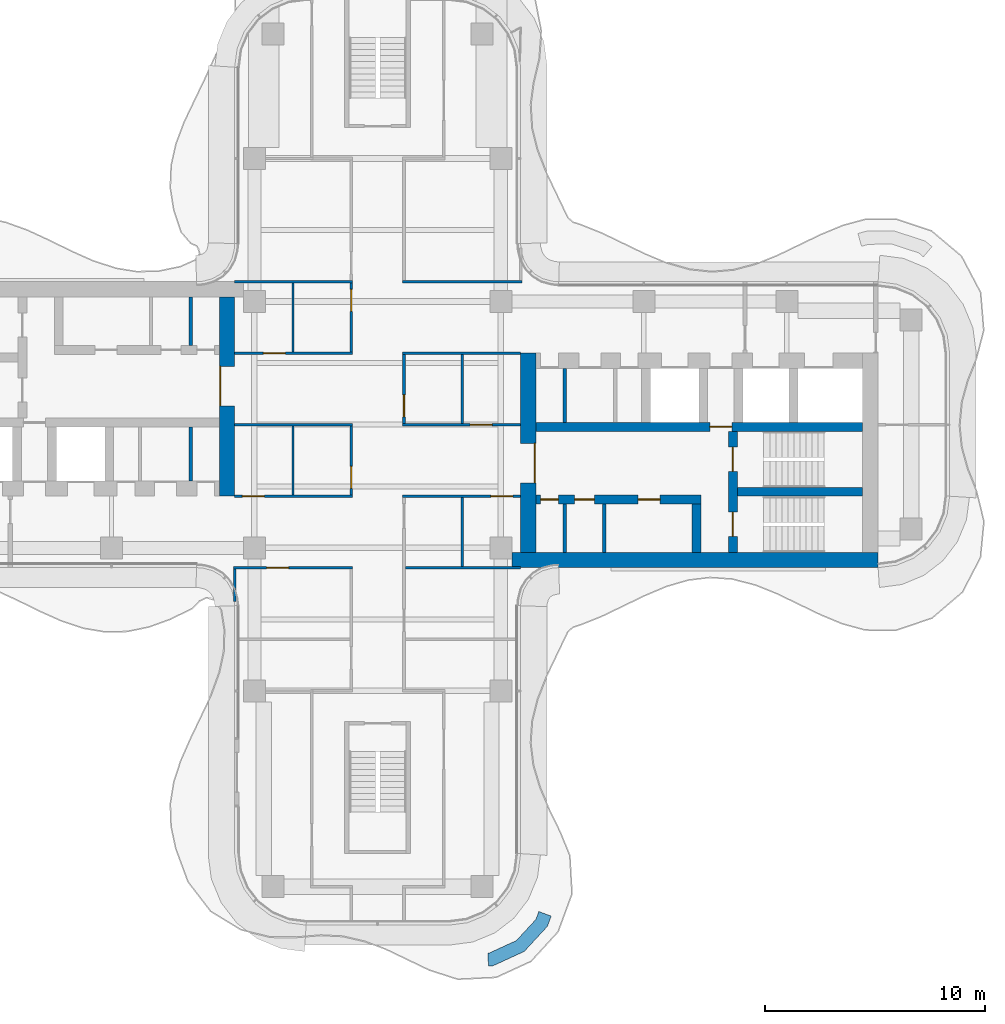
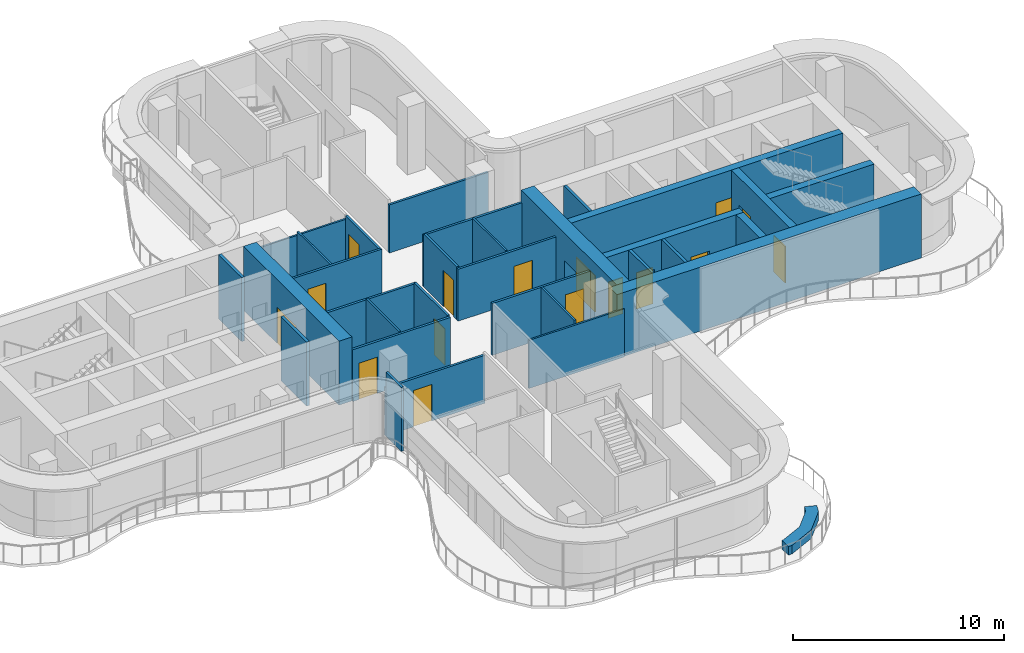
# One storey, part 12 of 16: 32 walls, 16 doors, 16 openings.
"""IFC4 building model written with IfcOpenShell, lengths in metres."""

from ifc_helpers import new_model, si_unit, direction, frame, frame_2d, origin, place, context, subcontext, project, spatial, polyline, rectangle, outline, extrude, source, transform, mapped, material, layer, layer_set, type_object, element, fill, save


model = new_model("IFC4")

# Units and contexts
model_context = context("Model", 3, precision=1e-05, world=origin(), true_north=direction((0.0, 1.0)))
body_context = subcontext(model_context, "Body", "Model", "MODEL_VIEW")
ifc_project = project(units=[si_unit("LENGTHUNIT", "METRE"), si_unit("AREAUNIT", "SQUARE_METRE"), si_unit("VOLUMEUNIT", "CUBIC_METRE"), si_unit("PLANEANGLEUNIT", "RADIAN"), si_unit("MASSUNIT", "GRAM", prefix="KILO")], contexts=[model_context])

# Site, building, storey
site_placement = place(None, origin())
site = spatial("IfcSite", under=ifc_project, at=site_placement, CompositionType="ELEMENT")
building_placement = place(site_placement, origin())
building = spatial("IfcBuilding", under=site, at=building_placement, Name="Trellis Farm Tower", CompositionType="ELEMENT")
storey_placement = place(building_placement, frame((0.0, 0.0, 302.800048828125)))
storey = spatial("IfcBuildingStorey", under=building, at=storey_placement, Name="L68", CompositionType="ELEMENT", Elevation=302.800048828125)

# Wall
ifc_material_1 = material(Name="Sandstone faced masonry planter", Category="masonry")
ifc_layer_1 = layer(ifc_material_1, 0.60009765625)
ifc_layer_set_1 = layer_set([ifc_layer_1], Name="PLANTER BED 600")
wall_type_1 = type_object("IfcWallType", Name="PLANTER BED 600", PredefinedType="USERDEFINED", material=ifc_layer_set_1)
wall_1_placement = place(storey_placement, origin())
element("IfcWall", 1, at=wall_1_placement, inside=storey, type_object=wall_type_1, Name="PLANTER bed", ObjectType="PLANTER", PredefinedType="USERDEFINED", context=body_context, shape_type="SweptSolid", body=[
    extrude(outline(polyline([(6.66650390625, -23.9453125), (5.2412109375, -24.6005859375), (5.03662109375, -24.609130859375), (5.01123046875, -24.009765625), (5.097900390625, -24.006103515625), (6.306884765625, -23.4501953125), (7.194580078125, -22.488037109375), (7.32666015625, -22.130859375), (7.889404296875, -22.338623046875), (7.71630859375, -22.8076171875), (6.66650390625, -23.9453125)])), origin(), (0.0, 0.0, 1.0), 0.5),
])

# Wall, opening, door
ifc_material_2 = material(Name="Concrete C50/60", Category="concrete")
ifc_layer_2 = layer(ifc_material_2, 0.699951171875)
ifc_layer_set_2 = layer_set([ifc_layer_2], Name="CORE OUTER WALL 700 CONCRETE C50/60")
wall_type_2 = type_object("IfcWallType", Name="CORE OUTER WALL 700 CONCRETE C50/60", PredefinedType="SHEAR", material=ifc_layer_set_2)
shared_shape_1 = source(origin(), body_context, "Body", "SweptSolid", [
    extrude(rectangle(XDim=9.050048828125, YDim=0.699951171875, at=frame_2d((4.52490234375, 0.0))), origin(), (0.0, 0.0, 1.0), 3.699951171875),
])
wall_2_placement = place(storey_placement, frame((6.85009765625, -5.800048828125, 0.0), z_axis=(0.0, 0.0, 1.0), x_axis=(0.0, 1.0, 0.0)))
wall_2 = element("IfcWall", 2, at=wall_2_placement, inside=storey, type_object=wall_type_2, Name="Core wall", PredefinedType="SHEAR", context=body_context, shape_type="MappedRepresentation", body=[
    mapped(shared_shape_1, transform((0.0, 0.0, 0.0))),
])
shared_shape_2 = source(origin(), body_context, "Body", "SweptSolid", [
    extrude(rectangle(XDim=1.800048828125, YDim=2.10009765625, at=frame_2d((0.89990234375, 1.050048828125))), frame((0.0, 0.360107421875, 0.0), z_axis=(0.0, -1.0, 0.0), x_axis=(1.0, 0.0, 0.0)), (0.0, 0.0, 1.0), 0.72021484375),
])
opening_1_placement = place(wall_2_placement, frame((3.14990234375, 0.0, 0.0)))
opening_1 = element("IfcOpeningElement", 3, at=opening_1_placement, cuts=wall_2, Name="Opening DC1", PredefinedType="OPENING", context=body_context, shape_type="MappedRepresentation", body=[
    mapped(shared_shape_2, transform((0.0, 0.0, 0.0))),
])
ifc_material_3 = material(Name="Steel", Category="steel")
door_type_1 = type_object("IfcDoorType", Name="CORE FIRE DOOR DOUBLE 1800 X 2100", OperationType="DOUBLE_DOOR_SINGLE_SWING", PredefinedType="DOOR", material=ifc_material_3)
shared_shape_3 = source(origin(), body_context, "Body", "SweptSolid", [
    extrude(rectangle(XDim=1.800048828125, YDim=2.10009765625, at=frame_2d((0.89990234375, 1.050048828125))), frame((0.0, -0.27490234375, 0.0), z_axis=(0.0, -1.0, 0.0), x_axis=(1.0, 0.0, 0.0)), (0.0, 0.0, 1.0), 0.050048828125),
])
door_1_placement = place(opening_1_placement, origin())
door_1 = element("IfcDoor", 4, at=door_1_placement, inside=storey, type_object=door_type_1, Name="Core door", OperationType="DOUBLE_DOOR_SINGLE_SWING", OverallHeight=2.10009765625, OverallWidth=1.800048828125, PredefinedType="DOOR", context=body_context, shape_type="MappedRepresentation", body=[
    mapped(shared_shape_3, transform((0.0, 0.0, 0.0))),
])
fill(opening_1, door_1)

wall_3_placement = place(storey_placement, frame((-6.85009765625, 5.800048828125, 0.0), z_axis=(0.0, 0.0, 1.0), x_axis=(0.0, -1.0, 0.0)))
wall_3 = element("IfcWall", 5, at=wall_3_placement, inside=storey, type_object=wall_type_2, Name="Core wall", PredefinedType="SHEAR", context=body_context, shape_type="MappedRepresentation", body=[
    mapped(shared_shape_1, transform((0.0, 0.0, 0.0))),
])
opening_2_placement = place(wall_3_placement, frame((3.14990234375, 0.0, 0.0)))
opening_2 = element("IfcOpeningElement", 6, at=opening_2_placement, cuts=wall_3, Name="Opening DC87", PredefinedType="OPENING", context=body_context, shape_type="MappedRepresentation", body=[
    mapped(shared_shape_2, transform((0.0, 0.0, 0.0))),
])
door_2_placement = place(opening_2_placement, origin())
door_2 = element("IfcDoor", 7, at=door_2_placement, inside=storey, type_object=door_type_1, Name="Core door", OperationType="DOUBLE_DOOR_SINGLE_SWING", OverallHeight=2.10009765625, OverallWidth=1.800048828125, PredefinedType="DOOR", context=body_context, shape_type="MappedRepresentation", body=[
    mapped(shared_shape_3, transform((0.0, 0.0, 0.0))),
])
fill(opening_2, door_2)

# Wall, openings, doors
ifc_layer_3 = layer(ifc_material_2, 0.39990234375)
ifc_layer_set_3 = layer_set([ifc_layer_3], Name="CORE INNER WALL 400 CONCRETE C50/60")
wall_type_3 = type_object("IfcWallType", Name="CORE INNER WALL 400 CONCRETE C50/60", PredefinedType="SHEAR", material=ifc_layer_set_3)
shared_shape_4 = source(origin(), body_context, "Body", "SweptSolid", [
    extrude(rectangle(XDim=7.5, YDim=0.39990234375, at=frame_2d((3.75, 0.0))), origin(), (0.0, 0.0, 1.0), 3.699951171875),
])
wall_4_placement = place(storey_placement, frame((7.199951171875, -3.39990234375, 0.0), z_axis=(0.0, 0.0, 1.0), x_axis=(1.0, 0.0, 0.0)))
wall_4 = element("IfcWall", 8, at=wall_4_placement, inside=storey, type_object=wall_type_3, Name="Core wall", PredefinedType="SHEAR", context=body_context, shape_type="MappedRepresentation", body=[
    mapped(shared_shape_4, transform((0.0, 0.0, 0.0))),
])
shared_shape_5 = source(origin(), body_context, "Body", "SweptSolid", [
    extrude(rectangle(XDim=0.800048828125, YDim=2.10009765625, at=frame_2d((0.39990234375, 1.050048828125))), frame((0.0, 0.2099609375, 0.0), z_axis=(0.0, -1.0, 0.0), x_axis=(1.0, 0.0, 0.0)), (0.0, 0.0, 1.0), 0.419921875),
])
opening_3_placement = place(wall_4_placement, frame((0.21240234375, 0.0, 0.0)))
opening_3 = element("IfcOpeningElement", 9, at=opening_3_placement, cuts=wall_4, Name="Opening DC51", PredefinedType="OPENING", context=body_context, shape_type="MappedRepresentation", body=[
    mapped(shared_shape_5, transform((0.0, 0.0, 0.0))),
])
shared_shape_6 = source(origin(), body_context, "Body", "SweptSolid", [
    extrude(rectangle(XDim=0.89990234375, YDim=2.10009765625, at=frame_2d((0.449951171875, 1.050048828125))), frame((0.0, 0.2099609375, 0.0), z_axis=(0.0, -1.0, 0.0), x_axis=(1.0, 0.0, 0.0)), (0.0, 0.0, 1.0), 0.419921875),
])
opening_4_placement = place(wall_4_placement, frame((1.75, 0.0, 0.0)))
opening_4 = element("IfcOpeningElement", 10, at=opening_4_placement, cuts=wall_4, Name="Opening DC60", PredefinedType="OPENING", context=body_context, shape_type="MappedRepresentation", body=[
    mapped(shared_shape_6, transform((0.0, 0.0, 0.0))),
])
shared_shape_7 = source(origin(), body_context, "Body", "SweptSolid", [
    extrude(rectangle(XDim=1.0, YDim=2.10009765625, at=frame_2d((0.5, 1.050048828125))), frame((0.0, 0.2099609375, 0.0), z_axis=(0.0, -1.0, 0.0), x_axis=(1.0, 0.0, 0.0)), (0.0, 0.0, 1.0), 0.419921875),
])
opening_5_placement = place(wall_4_placement, frame((4.637451171875, 0.0, 0.0)))
opening_5 = element("IfcOpeningElement", 11, at=opening_5_placement, cuts=wall_4, Name="Opening DC67", PredefinedType="OPENING", context=body_context, shape_type="MappedRepresentation", body=[
    mapped(shared_shape_7, transform((0.0, 0.0, 0.0))),
])
door_type_2 = type_object("IfcDoorType", Name="CORE FIRE DOOR 1000 X 2100", OperationType="NOTDEFINED", PredefinedType="DOOR", material=ifc_material_3)
shared_shape_8 = source(origin(), body_context, "Body", "SweptSolid", [
    extrude(rectangle(XDim=1.0, YDim=2.10009765625, at=frame_2d((0.5, 1.050048828125))), frame((0.0, 0.02490234375, 0.0), z_axis=(0.0, -1.0, 0.0), x_axis=(1.0, 0.0, 0.0)), (0.0, 0.0, 1.0), 0.050048828125),
])
door_3_placement = place(opening_5_placement, origin())
door_3 = element("IfcDoor", 12, at=door_3_placement, inside=storey, type_object=door_type_2, Name="Core door", OperationType="SINGLE_SWING_LEFT", OverallHeight=2.10009765625, OverallWidth=1.0, PredefinedType="DOOR", context=body_context, shape_type="MappedRepresentation", body=[
    mapped(shared_shape_8, transform((0.0, 0.0, 0.0))),
])
fill(opening_5, door_3)
door_type_3 = type_object("IfcDoorType", Name="CORE FIRE DOOR 900 X 2100", OperationType="NOTDEFINED", PredefinedType="DOOR", material=ifc_material_3)
shared_shape_9 = source(origin(), body_context, "Body", "SweptSolid", [
    extrude(rectangle(XDim=0.89990234375, YDim=2.10009765625, at=frame_2d((0.449951171875, 1.050048828125))), frame((0.0, 0.02490234375, 0.0), z_axis=(0.0, -1.0, 0.0), x_axis=(1.0, 0.0, 0.0)), (0.0, 0.0, 1.0), 0.050048828125),
])
door_4_placement = place(opening_4_placement, origin())
door_4 = element("IfcDoor", 13, at=door_4_placement, inside=storey, type_object=door_type_3, Name="Core door", OperationType="SINGLE_SWING_RIGHT", OverallHeight=2.10009765625, OverallWidth=0.89990234375, PredefinedType="DOOR", context=body_context, shape_type="MappedRepresentation", body=[
    mapped(shared_shape_9, transform((0.0, 0.0, 0.0))),
])
fill(opening_4, door_4)
door_type_4 = type_object("IfcDoorType", Name="CORE FIRE DOOR 800 X 2100", OperationType="NOTDEFINED", PredefinedType="DOOR", material=ifc_material_3)
shared_shape_10 = source(origin(), body_context, "Body", "SweptSolid", [
    extrude(rectangle(XDim=0.800048828125, YDim=2.10009765625, at=frame_2d((0.39990234375, 1.050048828125))), frame((0.0, 0.02490234375, 0.0), z_axis=(0.0, -1.0, 0.0), x_axis=(1.0, 0.0, 0.0)), (0.0, 0.0, 1.0), 0.050048828125),
])
door_5_placement = place(opening_3_placement, origin())
door_5 = element("IfcDoor", 14, at=door_5_placement, inside=storey, type_object=door_type_4, Name="Core door", OperationType="SINGLE_SWING_LEFT", OverallHeight=2.10009765625, OverallWidth=0.800048828125, PredefinedType="DOOR", context=body_context, shape_type="MappedRepresentation", body=[
    mapped(shared_shape_10, transform((0.0, 0.0, 0.0))),
])
fill(opening_3, door_5)

# Wall, opening, door
shared_shape_11 = source(origin(), body_context, "Body", "SweptSolid", [
    extrude(rectangle(XDim=14.85009765625, YDim=0.39990234375, at=frame_2d((7.425048828125, 0.0))), origin(), (0.0, 0.0, 1.0), 3.699951171875),
])
wall_5_placement = place(storey_placement, frame((7.199951171875, -0.10009765625, 0.0), z_axis=(0.0, 0.0, 1.0), x_axis=(1.0, 0.0, 0.0)))
wall_5 = element("IfcWall", 15, at=wall_5_placement, inside=storey, type_object=wall_type_3, Name="Core wall", PredefinedType="SHEAR", context=body_context, shape_type="MappedRepresentation", body=[
    mapped(shared_shape_11, transform((0.0, 0.0, 0.0))),
])
opening_6_placement = place(wall_5_placement, frame((7.89990234375, 0.0, 0.0)))
opening_6 = element("IfcOpeningElement", 16, at=opening_6_placement, cuts=wall_5, Name="Opening DC5", PredefinedType="OPENING", context=body_context, shape_type="MappedRepresentation", body=[
    mapped(shared_shape_7, transform((0.0, 0.0, 0.0))),
])
door_6_placement = place(opening_6_placement, origin())
door_6 = element("IfcDoor", 17, at=door_6_placement, inside=storey, type_object=door_type_2, Name="Core door", OperationType="SINGLE_SWING_RIGHT", OverallHeight=2.10009765625, OverallWidth=1.0, PredefinedType="DOOR", context=body_context, shape_type="MappedRepresentation", body=[
    mapped(shared_shape_8, transform((0.0, 0.0, 0.0))),
])
fill(opening_6, door_6)

# Wall, openings, doors
shared_shape_12 = source(origin(), body_context, "Body", "SweptSolid", [
    extrude(rectangle(XDim=5.5, YDim=0.39990234375, at=frame_2d((2.75, 0.0))), origin(), (0.0, 0.0, 1.0), 3.699951171875),
])
wall_6_placement = place(storey_placement, frame((16.14990234375, -5.800048828125, 0.0), z_axis=(0.0, 0.0, 1.0), x_axis=(0.0, 1.0, 0.0)))
wall_6 = element("IfcWall", 18, at=wall_6_placement, inside=storey, type_object=wall_type_3, Name="Core wall", PredefinedType="SHEAR", context=body_context, shape_type="MappedRepresentation", body=[
    mapped(shared_shape_12, transform((0.0, 0.0, 0.0))),
])
shared_shape_13 = source(origin(), body_context, "Body", "SweptSolid", [
    extrude(rectangle(XDim=1.10009765625, YDim=2.10009765625, at=frame_2d((0.550048828125, 1.050048828125))), frame((0.0, 0.2099609375, 0.0), z_axis=(0.0, -1.0, 0.0), x_axis=(1.0, 0.0, 0.0)), (0.0, 0.0, 1.0), 0.419921875),
])
opening_7_placement = place(wall_6_placement, frame((0.72509765625, 0.0, 0.0)))
opening_7 = element("IfcOpeningElement", 19, at=opening_7_placement, cuts=wall_6, Name="Opening DC2", PredefinedType="OPENING", context=body_context, shape_type="MappedRepresentation", body=[
    mapped(shared_shape_13, transform((0.0, 0.0, 0.0))),
])
opening_8_placement = place(wall_6_placement, frame((3.675048828125, 0.0, 0.0)))
opening_8 = element("IfcOpeningElement", 20, at=opening_8_placement, cuts=wall_6, Name="Opening DC3", PredefinedType="OPENING", context=body_context, shape_type="MappedRepresentation", body=[
    mapped(shared_shape_13, transform((0.0, 0.0, 0.0))),
])
door_type_5 = type_object("IfcDoorType", Name="CORE FIRE DOOR 1100 X 2100", OperationType="NOTDEFINED", PredefinedType="DOOR", material=ifc_material_3)
shared_shape_14 = source(origin(), body_context, "Body", "SweptSolid", [
    extrude(rectangle(XDim=1.10009765625, YDim=2.10009765625, at=frame_2d((0.550048828125, 1.050048828125))), frame((0.0, 0.02490234375, 0.0), z_axis=(0.0, -1.0, 0.0), x_axis=(1.0, 0.0, 0.0)), (0.0, 0.0, 1.0), 0.050048828125),
])
door_7_placement = place(opening_7_placement, origin())
door_7 = element("IfcDoor", 21, at=door_7_placement, inside=storey, type_object=door_type_5, Name="Core door", OperationType="SINGLE_SWING_RIGHT", OverallHeight=2.10009765625, OverallWidth=1.10009765625, PredefinedType="DOOR", context=body_context, shape_type="MappedRepresentation", body=[
    mapped(shared_shape_14, transform((0.0, 0.0, 0.0))),
])
fill(opening_7, door_7)
door_8_placement = place(opening_8_placement, origin())
door_8 = element("IfcDoor", 22, at=door_8_placement, inside=storey, type_object=door_type_5, Name="Core door", OperationType="SINGLE_SWING_LEFT", OverallHeight=2.10009765625, OverallWidth=1.10009765625, PredefinedType="DOOR", context=body_context, shape_type="MappedRepresentation", body=[
    mapped(shared_shape_14, transform((0.0, 0.0, 0.0))),
])
fill(opening_8, door_8)

# Walls
shared_shape_15 = source(origin(), body_context, "Body", "SweptSolid", [
    extrude(rectangle(XDim=5.699951171875, YDim=0.39990234375, at=frame_2d((2.85009765625, 0.0))), origin(), (0.0, 0.0, 1.0), 3.699951171875),
])
wall_7_placement = place(storey_placement, frame((16.35009765625, -3.050048828125, 0.0), z_axis=(0.0, 0.0, 1.0), x_axis=(1.0, 0.0, 0.0)))
element("IfcWall", 23, at=wall_7_placement, inside=storey, type_object=wall_type_3, Name="Core wall", PredefinedType="SHEAR", context=body_context, shape_type="MappedRepresentation", body=[
    mapped(shared_shape_15, transform((0.0, 0.0, 0.0))),
])
shared_shape_16 = source(origin(), body_context, "Body", "SweptSolid", [
    extrude(rectangle(XDim=2.199951171875, YDim=0.39990234375, at=frame_2d((1.10009765625, 0.0))), origin(), (0.0, 0.0, 1.0), 3.699951171875),
])
wall_8_placement = place(storey_placement, frame((14.5, -5.800048828125, 0.0), z_axis=(0.0, 0.0, 1.0), x_axis=(0.0, 1.0, 0.0)))
element("IfcWall", 24, at=wall_8_placement, inside=storey, type_object=wall_type_3, Name="Core wall", PredefinedType="SHEAR", context=body_context, shape_type="MappedRepresentation", body=[
    mapped(shared_shape_16, transform((0.0, 0.0, 0.0))),
])
ifc_material_4 = material(Name="Masonry blockwork", Category="masonry")
ifc_layer_4 = layer(ifc_material_4, 0.14990234375)
ifc_layer_set_4 = layer_set([ifc_layer_4], Name="CORE PARTITION 150 BLOCKWORK")
wall_type_4 = type_object("IfcWallType", Name="CORE PARTITION 150 BLOCKWORK", PredefinedType="PARTITIONING", material=ifc_layer_set_4)
shared_shape_17 = source(origin(), body_context, "Body", "SweptSolid", [
    extrude(rectangle(XDim=2.199951171875, YDim=0.14990234375, at=frame_2d((1.10009765625, 0.0))), origin(), (0.0, 0.0, 1.0), 3.699951171875),
])
for number, where, z_axis, x_axis, name in (
    (25, (8.5, -5.800048828125, 0.0), (0.0, 0.0, 1.0), (0.0, 1.0, 0.0), "Core room partition"),
    (26, (10.300048828125, -5.800048828125, 0.0), (0.0, 0.0, 1.0), (0.0, 1.0, 0.0), "Core room partition"),
    (27, (-8.5, 5.800048828125, 0.0), (0.0, 0.0, 1.0), (0.0, -1.0, 0.0), "Core room partition"),
):
    element("IfcWall", number, at=place(storey_placement, frame(where, z_axis=z_axis, x_axis=x_axis)), inside=storey, type_object=wall_type_4, Name=name, PredefinedType="PARTITIONING", context=body_context, shape_type="MappedRepresentation", body=[
        mapped(shared_shape_17, transform((0.0, 0.0, 0.0))),
    ])
shared_shape_18 = source(origin(), body_context, "Body", "SweptSolid", [
    extrude(rectangle(XDim=16.64990234375, YDim=0.699951171875, at=frame_2d((8.324951171875, 0.0))), origin(), (0.0, 0.0, 1.0), 3.699951171875),
])
wall_9_placement = place(storey_placement, frame((6.10009765625, -6.14990234375, 0.0), z_axis=(0.0, 0.0, 1.0), x_axis=(1.0, 0.0, 0.0)))
element("IfcWall", 28, at=wall_9_placement, inside=storey, type_object=wall_type_2, Name="Core wall", PredefinedType="SHEAR", context=body_context, shape_type="MappedRepresentation", body=[
    mapped(shared_shape_18, transform((0.0, 0.0, 0.0))),
])
shared_shape_19 = source(origin(), body_context, "Body", "SweptSolid", [
    extrude(rectangle(XDim=2.449951171875, YDim=0.14990234375, at=frame_2d((1.22509765625, 0.0))), origin(), (0.0, 0.0, 1.0), 3.699951171875),
])
for number, where, z_axis, x_axis, name in (
    (29, (8.5, 0.10009765625, 0.0), (0.0, 0.0, 1.0), (0.0, 1.0, 0.0), "Core room partition"),
    (30, (-8.5, -0.10009765625, 0.0), (0.0, 0.0, 1.0), (0.0, -1.0, 0.0), "Core room partition"),
):
    element("IfcWall", number, at=place(storey_placement, frame(where, z_axis=z_axis, x_axis=x_axis)), inside=storey, type_object=wall_type_4, Name=name, PredefinedType="PARTITIONING", context=body_context, shape_type="MappedRepresentation", body=[
        mapped(shared_shape_19, transform((0.0, 0.0, 0.0))),
    ])

# Wall, opening, door
ifc_material_5 = material(Name="Plasterboard on steel studs, mineral wool", Category="steel")
ifc_layer_5 = layer(ifc_material_5, 0.125)
ifc_layer_set_5 = layer_set([ifc_layer_5], Name="PARTITION 125 STUD EI 60")
wall_type_5 = type_object("IfcWallType", Name="PARTITION 125 STUD EI 60", PredefinedType="PARTITIONING", material=ifc_layer_set_5)
shared_shape_20 = source(origin(), body_context, "Body", "SweptSolid", [
    extrude(rectangle(XDim=3.137451171875, YDim=0.125, at=frame_2d((1.56884765625, 0.0))), origin(), (0.0, 0.0, 1.0), 2.99658203125),
])
wall_10_placement = place(storey_placement, frame((-1.199951171875, 6.449951171875, 0.0), z_axis=(0.0, 0.0, 1.0), x_axis=(0.0, -1.0, 0.0)))
wall_10 = element("IfcWall", 31, at=wall_10_placement, inside=storey, type_object=wall_type_5, Name="Partition PW1", PredefinedType="PARTITIONING", context=body_context, shape_type="MappedRepresentation", body=[
    mapped(shared_shape_20, transform((0.0, 0.0, 0.0))),
])
shared_shape_21 = source(origin(), body_context, "Body", "SweptSolid", [
    extrude(rectangle(XDim=1.0, YDim=2.10009765625, at=frame_2d((0.5, 1.050048828125))), frame((0.0, 0.072509765625, 0.0), z_axis=(0.0, -1.0, 0.0), x_axis=(1.0, 0.0, 0.0)), (0.0, 0.0, 1.0), 0.14501953125),
])
opening_9_placement = place(wall_10_placement, frame((0.300048828125, 0.0, 0.0)))
opening_9 = element("IfcOpeningElement", 32, at=opening_9_placement, cuts=wall_10, Name="Opening D113", PredefinedType="OPENING", context=body_context, shape_type="MappedRepresentation", body=[
    mapped(shared_shape_21, transform((0.0, 0.0, 0.0))),
])
ifc_material_6 = material(Name="Fire-rated timber door leaf in a hollow metal frame", Category="wood")
door_type_6 = type_object("IfcDoorType", Name="DOOR 1000x2100 FD30S", OperationType="NOTDEFINED", PredefinedType="DOOR", material=ifc_material_6)
door_9_placement = place(opening_9_placement, origin())
door_9 = element("IfcDoor", 33, at=door_9_placement, inside=storey, type_object=door_type_6, Name="Door D113", OperationType="SINGLE_SWING_LEFT", OverallHeight=2.10009765625, OverallWidth=1.0, PredefinedType="DOOR", context=body_context, shape_type="MappedRepresentation", body=[
    mapped(shared_shape_8, transform((0.0, 0.0, 0.0))),
])
fill(opening_9, door_9)

shared_shape_22 = source(origin(), body_context, "Body", "SweptSolid", [
    extrude(rectangle(XDim=3.125, YDim=0.125, at=frame_2d((1.5625, 0.0))), origin(), (0.0, 0.0, 1.0), 3.06787109375),
])
wall_11_placement = place(storey_placement, frame((-1.199951171875, -0.0625, 0.0), z_axis=(0.0, 0.0, 1.0), x_axis=(0.0, -1.0, 0.0)))
wall_11 = element("IfcWall", 34, at=wall_11_placement, inside=storey, type_object=wall_type_5, Name="Partition PW1", PredefinedType="PARTITIONING", context=body_context, shape_type="MappedRepresentation", body=[
    mapped(shared_shape_22, transform((0.0, 0.0, 0.0))),
])
opening_10_placement = place(wall_11_placement, frame((1.83740234375, 0.0, 0.0)))
opening_10 = element("IfcOpeningElement", 35, at=opening_10_placement, cuts=wall_11, Name="Opening D107", PredefinedType="OPENING", context=body_context, shape_type="MappedRepresentation", body=[
    mapped(shared_shape_21, transform((0.0, 0.0, 0.0))),
])
door_10_placement = place(opening_10_placement, origin())
door_10 = element("IfcDoor", 36, at=door_10_placement, inside=storey, type_object=door_type_6, Name="Door D107", OperationType="SINGLE_SWING_RIGHT", OverallHeight=2.10009765625, OverallWidth=1.0, PredefinedType="DOOR", context=body_context, shape_type="MappedRepresentation", body=[
    mapped(shared_shape_8, transform((0.0, 0.0, 0.0))),
])
fill(opening_10, door_10)

wall_12_placement = place(storey_placement, frame((1.199951171875, 3.1875, 0.0), z_axis=(0.0, 0.0, 1.0), x_axis=(0.0, -1.0, 0.0)))
wall_12 = element("IfcWall", 37, at=wall_12_placement, inside=storey, type_object=wall_type_5, Name="Partition PW1", PredefinedType="PARTITIONING", context=body_context, shape_type="MappedRepresentation", body=[
    mapped(shared_shape_22, transform((0.0, 0.0, 0.0))),
])
opening_11_placement = place(wall_12_placement, frame((1.83740234375, 0.0, 0.0)))
opening_11 = element("IfcOpeningElement", 38, at=opening_11_placement, cuts=wall_12, Name="Opening D111", PredefinedType="OPENING", context=body_context, shape_type="MappedRepresentation", body=[
    mapped(shared_shape_21, transform((0.0, 0.0, 0.0))),
])
door_11_placement = place(opening_11_placement, origin())
door_11 = element("IfcDoor", 39, at=door_11_placement, inside=storey, type_object=door_type_6, Name="Door D111", OperationType="SINGLE_SWING_RIGHT", OverallHeight=2.10009765625, OverallWidth=1.0, PredefinedType="DOOR", context=body_context, shape_type="MappedRepresentation", body=[
    mapped(shared_shape_8, transform((0.0, 0.0, 0.0))),
])
fill(opening_11, door_11)

# Wall
shared_shape_23 = source(origin(), body_context, "Body", "SweptSolid", [
    extrude(rectangle(XDim=1.468994140625, YDim=0.125, at=frame_2d((0.734375, 0.0))), origin(), (0.0, 0.0, 1.0), 3.699951171875),
])
wall_13_placement = place(storey_placement, frame((-6.5, -6.5625, 0.0), z_axis=(0.0, 0.0, 1.0), x_axis=(0.0, -1.0, 0.0)))
element("IfcWall", 40, at=wall_13_placement, inside=storey, type_object=wall_type_5, Name="Partition PW1", PredefinedType="PARTITIONING", context=body_context, shape_type="MappedRepresentation", body=[
    mapped(shared_shape_23, transform((0.0, 0.0, 0.0))),
])

# Wall, opening, door
shared_shape_24 = source(origin(), body_context, "Body", "SweptSolid", [
    extrude(rectangle(XDim=5.362548828125, YDim=0.125, at=frame_2d((2.68115234375, 0.0))), origin(), (0.0, 0.0, 1.0), 2.99658203125),
])
wall_14_placement = place(storey_placement, frame((-1.137451171875, -3.25, 0.0), z_axis=(0.0, 0.0, 1.0), x_axis=(-1.0, 0.0, 0.0)))
wall_14 = element("IfcWall", 41, at=wall_14_placement, inside=storey, type_object=wall_type_5, Name="Partition PW1", PredefinedType="PARTITIONING", context=body_context, shape_type="MappedRepresentation", body=[
    mapped(shared_shape_24, transform((0.0, 0.0, 0.0))),
])
opening_12_placement = place(wall_14_placement, frame((4.012451171875, 0.0, 0.0)))
opening_12 = element("IfcOpeningElement", 42, at=opening_12_placement, cuts=wall_14, Name="Opening D105", PredefinedType="OPENING", context=body_context, shape_type="MappedRepresentation", body=[
    mapped(shared_shape_21, transform((0.0, 0.0, 0.0))),
])
door_12_placement = place(opening_12_placement, origin())
door_12 = element("IfcDoor", 43, at=door_12_placement, inside=storey, type_object=door_type_6, Name="Door D105", OperationType="SINGLE_SWING_RIGHT", OverallHeight=2.10009765625, OverallWidth=1.0, PredefinedType="DOOR", context=body_context, shape_type="MappedRepresentation", body=[
    mapped(shared_shape_8, transform((0.0, 0.0, 0.0))),
])
fill(opening_12, door_12)

wall_15_placement = place(storey_placement, frame((6.5, -3.25, 0.0), z_axis=(0.0, 0.0, 1.0), x_axis=(-1.0, 0.0, 0.0)))
wall_15 = element("IfcWall", 44, at=wall_15_placement, inside=storey, type_object=wall_type_5, Name="Partition PW1", PredefinedType="PARTITIONING", context=body_context, shape_type="MappedRepresentation", body=[
    mapped(shared_shape_24, transform((0.0, 0.0, 0.0))),
])
opening_13_placement = place(wall_15_placement, frame((0.35009765625, 0.0, 0.0)))
opening_13 = element("IfcOpeningElement", 45, at=opening_13_placement, cuts=wall_15, Name="Opening D106", PredefinedType="OPENING", context=body_context, shape_type="MappedRepresentation", body=[
    mapped(shared_shape_21, transform((0.0, 0.0, 0.0))),
])
door_13_placement = place(opening_13_placement, origin())
door_13 = element("IfcDoor", 46, at=door_13_placement, inside=storey, type_object=door_type_6, Name="Door D106", OperationType="SINGLE_SWING_LEFT", OverallHeight=2.10009765625, OverallWidth=1.0, PredefinedType="DOOR", context=body_context, shape_type="MappedRepresentation", body=[
    mapped(shared_shape_8, transform((0.0, 0.0, 0.0))),
])
fill(opening_13, door_13)

# Wall
wall_16_placement = place(storey_placement, frame((-1.137451171875, 0.0, 0.0), z_axis=(0.0, 0.0, 1.0), x_axis=(-1.0, 0.0, 0.0)))
element("IfcWall", 47, at=wall_16_placement, inside=storey, type_object=wall_type_5, Name="Partition PW1", PredefinedType="PARTITIONING", context=body_context, shape_type="MappedRepresentation", body=[
    mapped(shared_shape_24, transform((0.0, 0.0, 0.0))),
])

# Wall, opening, door
wall_17_placement = place(storey_placement, frame((6.5, 0.0, 0.0), z_axis=(0.0, 0.0, 1.0), x_axis=(-1.0, 0.0, 0.0)))
wall_17 = element("IfcWall", 48, at=wall_17_placement, inside=storey, type_object=wall_type_5, Name="Partition PW1", PredefinedType="PARTITIONING", context=body_context, shape_type="MappedRepresentation", body=[
    mapped(shared_shape_24, transform((0.0, 0.0, 0.0))),
])
opening_14_placement = place(wall_17_placement, frame((1.300048828125, 0.0, 0.0)))
opening_14 = element("IfcOpeningElement", 49, at=opening_14_placement, cuts=wall_17, Name="Opening D109", PredefinedType="OPENING", context=body_context, shape_type="MappedRepresentation", body=[
    mapped(shared_shape_21, transform((0.0, 0.0, 0.0))),
])
door_14_placement = place(opening_14_placement, origin())
door_14 = element("IfcDoor", 50, at=door_14_placement, inside=storey, type_object=door_type_6, Name="Door D109", OperationType="SINGLE_SWING_RIGHT", OverallHeight=2.10009765625, OverallWidth=1.0, PredefinedType="DOOR", context=body_context, shape_type="MappedRepresentation", body=[
    mapped(shared_shape_8, transform((0.0, 0.0, 0.0))),
])
fill(opening_14, door_14)

wall_18_placement = place(storey_placement, frame((-6.5, 3.25, 0.0), z_axis=(0.0, 0.0, 1.0), x_axis=(1.0, 0.0, 0.0)))
wall_18 = element("IfcWall", 51, at=wall_18_placement, inside=storey, type_object=wall_type_5, Name="Partition PW1", PredefinedType="PARTITIONING", context=body_context, shape_type="MappedRepresentation", body=[
    mapped(shared_shape_24, transform((0.0, 0.0, 0.0))),
])
opening_15_placement = place(wall_18_placement, frame((1.300048828125, 0.0, 0.0)))
opening_15 = element("IfcOpeningElement", 52, at=opening_15_placement, cuts=wall_18, Name="Opening D112", PredefinedType="OPENING", context=body_context, shape_type="MappedRepresentation", body=[
    mapped(shared_shape_21, transform((0.0, 0.0, 0.0))),
])
door_15_placement = place(opening_15_placement, origin())
door_15 = element("IfcDoor", 53, at=door_15_placement, inside=storey, type_object=door_type_6, Name="Door D112", OperationType="SINGLE_SWING_RIGHT", OverallHeight=2.10009765625, OverallWidth=1.0, PredefinedType="DOOR", context=body_context, shape_type="MappedRepresentation", body=[
    mapped(shared_shape_8, transform((0.0, 0.0, 0.0))),
])
fill(opening_15, door_15)

# Walls
wall_19_placement = place(storey_placement, frame((1.137451171875, 3.25, 0.0), z_axis=(0.0, 0.0, 1.0), x_axis=(1.0, 0.0, 0.0)))
element("IfcWall", 54, at=wall_19_placement, inside=storey, type_object=wall_type_5, Name="Partition PW1", PredefinedType="PARTITIONING", context=body_context, shape_type="MappedRepresentation", body=[
    mapped(shared_shape_24, transform((0.0, 0.0, 0.0))),
])
ifc_material_7 = material(Name="Plasterboard on steel studs", Category="steel")
ifc_layer_6 = layer(ifc_material_7, 0.10009765625)
ifc_layer_set_6 = layer_set([ifc_layer_6], Name="PARTITION 100 STUD EI 30")
wall_type_6 = type_object("IfcWallType", Name="PARTITION 100 STUD EI 30", PredefinedType="PARTITIONING", material=ifc_layer_set_6)
shared_shape_25 = source(origin(), body_context, "Body", "SweptSolid", [
    extrude(rectangle(XDim=5.362548828125, YDim=0.10009765625, at=frame_2d((2.68115234375, 0.0))), origin(), (0.0, 0.0, 1.0), 2.780029296875),
])
wall_20_placement = place(storey_placement, frame((-6.5, 6.5, 0.0), z_axis=(0.0, 0.0, 1.0), x_axis=(1.0, 0.0, 0.0)))
element("IfcWall", 55, at=wall_20_placement, inside=storey, type_object=wall_type_6, Name="Partition PW2", PredefinedType="PARTITIONING", context=body_context, shape_type="MappedRepresentation", body=[
    mapped(shared_shape_25, transform((0.0, 0.0, 0.0))),
])

# Wall, opening, door
shared_shape_26 = source(origin(), body_context, "Body", "SweptSolid", [
    extrude(rectangle(XDim=5.425048828125, YDim=0.125, at=frame_2d((2.71240234375, 0.0))), origin(), (0.0, 0.0, 1.0), 2.780029296875),
])
wall_21_placement = place(storey_placement, frame((-1.137451171875, -6.5, 0.0), z_axis=(0.0, 0.0, 1.0), x_axis=(-1.0, 0.0, 0.0)))
wall_21 = element("IfcWall", 56, at=wall_21_placement, inside=storey, type_object=wall_type_5, Name="Partition PW1", PredefinedType="PARTITIONING", context=body_context, shape_type="MappedRepresentation", body=[
    mapped(shared_shape_26, transform((0.0, 0.0, 0.0))),
])
opening_16_placement = place(wall_21_placement, frame((2.91259765625, 0.0, 0.0)))
opening_16 = element("IfcOpeningElement", 57, at=opening_16_placement, cuts=wall_21, Name="Opening D104", PredefinedType="OPENING", context=body_context, shape_type="MappedRepresentation", body=[
    mapped(shared_shape_21, transform((0.0, 0.0, 0.0))),
])
door_16_placement = place(opening_16_placement, origin())
door_16 = element("IfcDoor", 58, at=door_16_placement, inside=storey, type_object=door_type_6, Name="Door D104", OperationType="SINGLE_SWING_RIGHT", OverallHeight=2.10009765625, OverallWidth=1.0, PredefinedType="DOOR", context=body_context, shape_type="MappedRepresentation", body=[
    mapped(shared_shape_8, transform((0.0, 0.0, 0.0))),
])
fill(opening_16, door_16)

# Walls
wall_22_placement = place(storey_placement, frame((1.137451171875, 6.5, 0.0), z_axis=(0.0, 0.0, 1.0), x_axis=(1.0, 0.0, 0.0)))
element("IfcWall", 59, at=wall_22_placement, inside=storey, type_object=wall_type_5, Name="Partition PW1", PredefinedType="PARTITIONING", context=body_context, shape_type="MappedRepresentation", body=[
    mapped(shared_shape_26, transform((0.0, 0.0, 0.0))),
])
shared_shape_27 = source(origin(), body_context, "Body", "SweptSolid", [
    extrude(rectangle(XDim=5.237548828125, YDim=0.10009765625, at=frame_2d((2.61865234375, 0.0))), origin(), (0.0, 0.0, 1.0), 2.780029296875),
])
wall_23_placement = place(storey_placement, frame((1.262451171875, -6.5, 0.0), z_axis=(0.0, 0.0, 1.0), x_axis=(1.0, 0.0, 0.0)))
element("IfcWall", 60, at=wall_23_placement, inside=storey, type_object=wall_type_6, Name="Partition PW2", PredefinedType="PARTITIONING", context=body_context, shape_type="MappedRepresentation", body=[
    mapped(shared_shape_27, transform((0.0, 0.0, 0.0))),
])
shared_shape_28 = source(origin(), body_context, "Body", "SweptSolid", [
    extrude(rectangle(XDim=3.137451171875, YDim=0.10009765625, at=frame_2d((1.56884765625, 0.0))), origin(), (0.0, 0.0, 1.0), 2.99658203125),
])
for number, where, z_axis, x_axis, name in (
    (61, (-3.85009765625, 3.3125, 0.0), (0.0, 0.0, 1.0), (0.0, 1.0, 0.0), "Partition PW2"),
    (62, (3.85009765625, -6.449951171875, 0.0), (0.0, 0.0, 1.0), (0.0, 1.0, 0.0), "Partition PW2"),
):
    element("IfcWall", number, at=place(storey_placement, frame(where, z_axis=z_axis, x_axis=x_axis)), inside=storey, type_object=wall_type_6, Name=name, PredefinedType="PARTITIONING", context=body_context, shape_type="MappedRepresentation", body=[
        mapped(shared_shape_28, transform((0.0, 0.0, 0.0))),
    ])
shared_shape_29 = source(origin(), body_context, "Body", "SweptSolid", [
    extrude(rectangle(XDim=3.125, YDim=0.10009765625, at=frame_2d((1.5625, 0.0))), origin(), (0.0, 0.0, 1.0), 3.06787109375),
])
for number, where, z_axis, x_axis, name in (
    (63, (-3.85009765625, -3.1875, 0.0), (0.0, 0.0, 1.0), (0.0, 1.0, 0.0), "Partition PW2"),
    (64, (3.85009765625, 0.0625, 0.0), (0.0, 0.0, 1.0), (0.0, 1.0, 0.0), "Partition PW2"),
):
    element("IfcWall", number, at=place(storey_placement, frame(where, z_axis=z_axis, x_axis=x_axis)), inside=storey, type_object=wall_type_6, Name=name, PredefinedType="PARTITIONING", context=body_context, shape_type="MappedRepresentation", body=[
        mapped(shared_shape_29, transform((0.0, 0.0, 0.0))),
    ])

save(model, "model.ifc")
